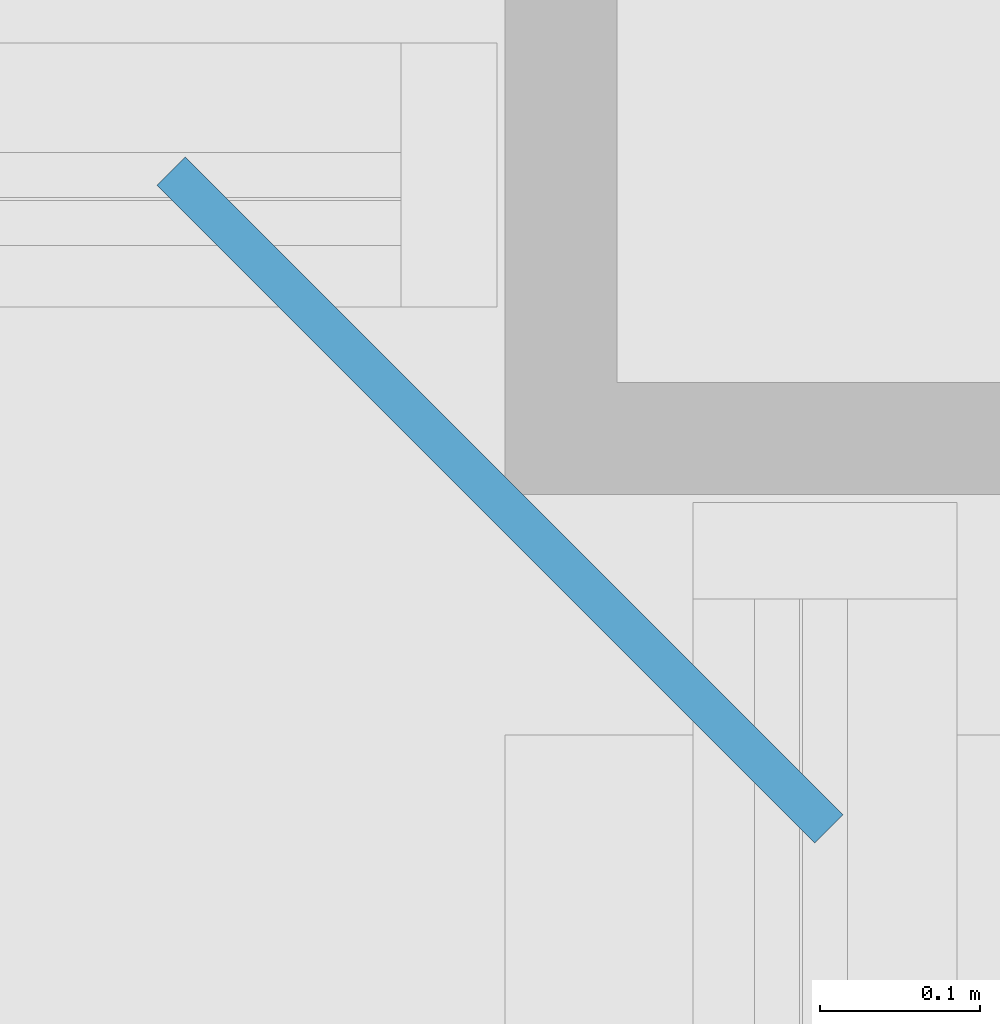
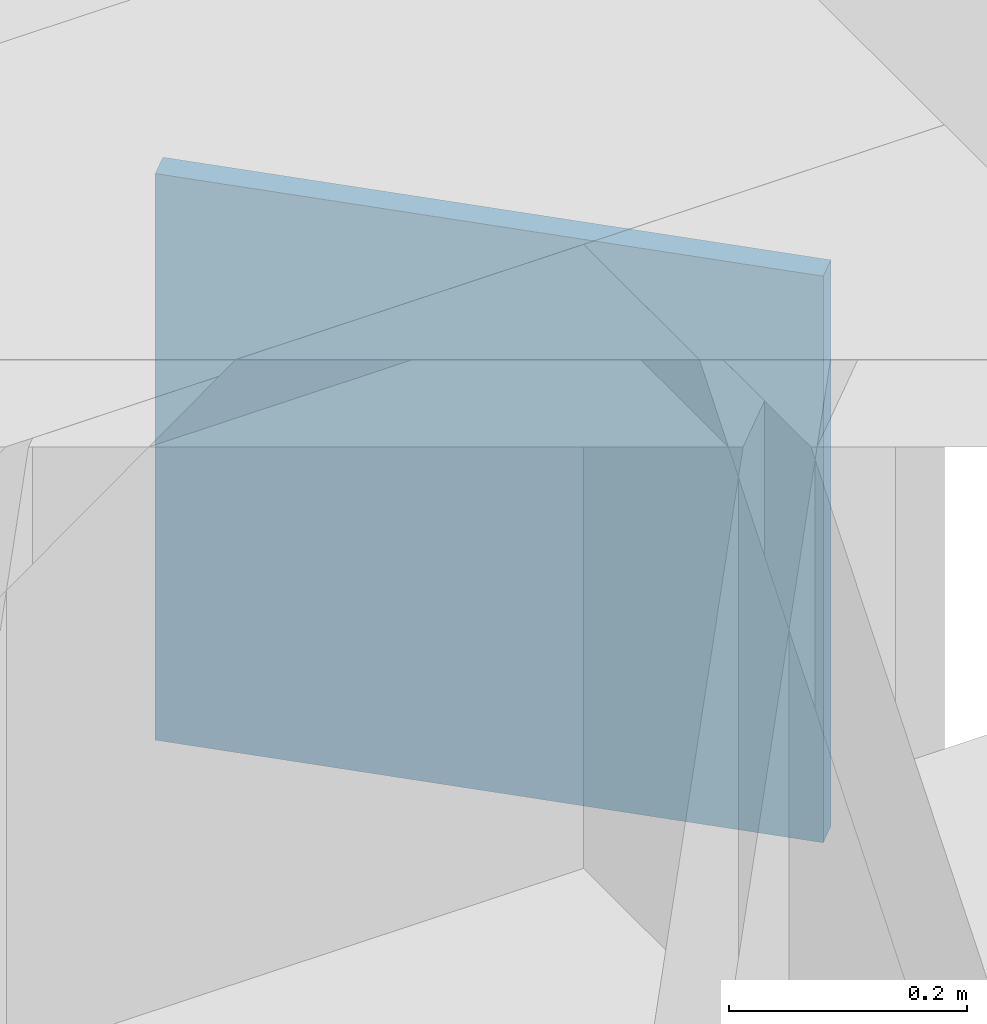
# One storey, part 20 of 29: 1 plate.
"""IFC4 building model written with IfcOpenShell, lengths in metres."""

from ifc_helpers import new_model, si_unit, direction, frame, origin, origin_2d, place, context, subcontext, project, spatial, rectangle, extrude, material, layer, layer_set, type_object, element, save


model = new_model("IFC4")

# Units and contexts
model_context = context("Model", 3, precision=1e-05, world=origin(), true_north=direction((0.0, 1.0)))
body_context = subcontext(model_context, "Body", "Model", "MODEL_VIEW")
ifc_project = project(units=[si_unit("LENGTHUNIT", "METRE"), si_unit("AREAUNIT", "SQUARE_METRE"), si_unit("VOLUMEUNIT", "CUBIC_METRE"), si_unit("PLANEANGLEUNIT", "RADIAN"), si_unit("MASSUNIT", "GRAM", prefix="KILO")], contexts=[model_context])

# Site, building, storey
site_placement = place(None, origin())
site = spatial("IfcSite", under=ifc_project, at=site_placement, CompositionType="ELEMENT")
building_placement = place(site_placement, origin())
building = spatial("IfcBuilding", under=site, at=building_placement, Name="Kopane Lantern Tower", CompositionType="ELEMENT")
storey_placement = place(building_placement, frame((0.0, 0.0, 165.0)))
storey = spatial("IfcBuildingStorey", under=building, at=storey_placement, Name="L42", CompositionType="ELEMENT", Elevation=165.0)

# Plate
ifc_material = material(Name="Steel S355JR", Category="steel")
ifc_layer = layer(ifc_material, 0.02490234375)
ifc_layer_set = layer_set([ifc_layer], Name="STEEL END CAP PLATE PL25")
plate_type = type_object("IfcPlateType", Name="STEEL END CAP PLATE PL25", PredefinedType="USERDEFINED", material=ifc_layer_set)
plate_placement = place(storey_placement, frame((52.296875, 54.996826171875, -0.890625), z_axis=(0.0, 0.0, 1.0), x_axis=(0.707106781187, 0.707106781187, 0.0)))
element("IfcPlate", 1, at=plate_placement, inside=storey, type_object=plate_type, Name="Corner tie beam end cap plate L42", ObjectType="PLATE", PredefinedType="USERDEFINED", context=body_context, shape_type="SweptSolid", body=[
    extrude(rectangle(XDim=0.02490234375, YDim=0.5810546875, at=origin_2d()), origin(), (0.0, 0.0, 1.0), 0.5810546875),
])

save(model, "model.ifc")
